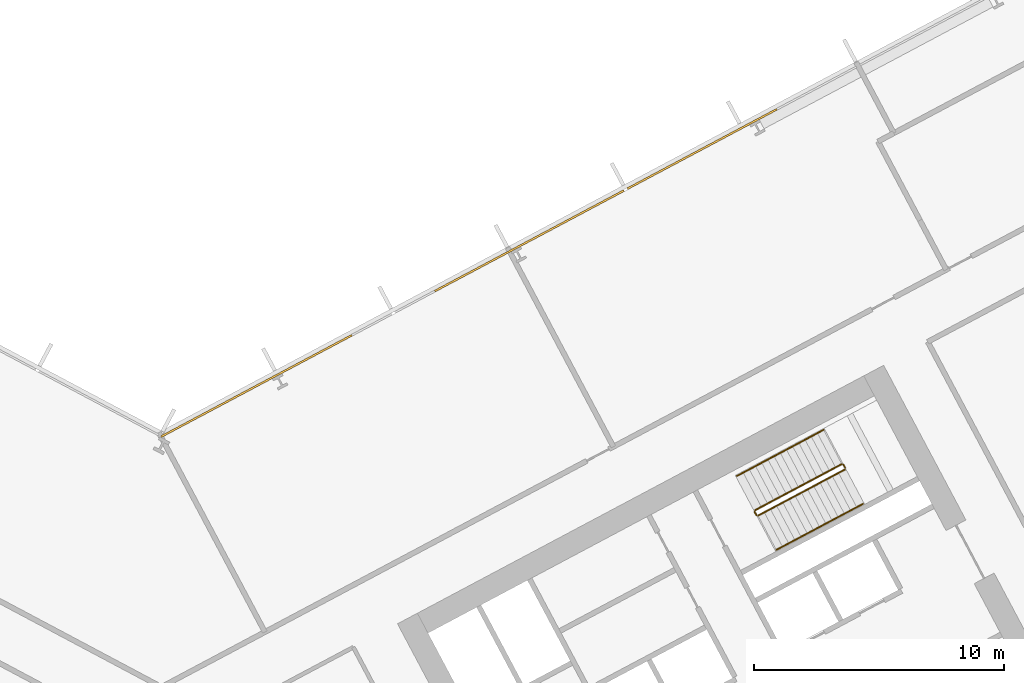
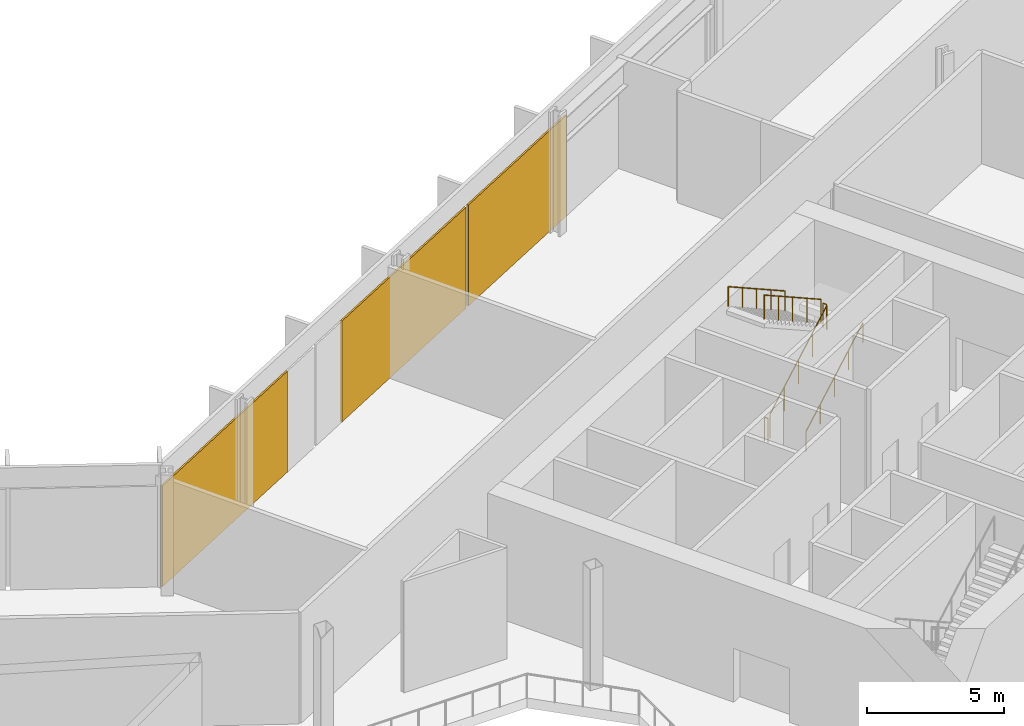
# One storey, part 29 of 32: 6 railings, 3 coverings, 1 element without a shape of its own.
"""IFC4 building model written with IfcOpenShell, lengths in metres."""

from ifc_helpers import new_model, si_unit, direction, frame, origin, origin_2d, place, context, subcontext, project, spatial, polyline, rectangle, outline, extrude, material, layer, layer_set, type_object, element, aggregate, save


model = new_model("IFC4")

# Units and contexts
model_context = context("Model", 3, precision=1e-05, world=origin(), true_north=direction((0.0, 1.0)))
body_context = subcontext(model_context, "Body", "Model", "MODEL_VIEW")
ifc_project = project(units=[si_unit("LENGTHUNIT", "METRE"), si_unit("AREAUNIT", "SQUARE_METRE"), si_unit("VOLUMEUNIT", "CUBIC_METRE"), si_unit("PLANEANGLEUNIT", "RADIAN"), si_unit("MASSUNIT", "GRAM", prefix="KILO")], contexts=[model_context])

# Site, building, storey
site_placement = place(None, origin())
site = spatial("IfcSite", under=ifc_project, at=site_placement, CompositionType="ELEMENT")
building_placement = place(site_placement, origin())
building = spatial("IfcBuilding", under=site, at=building_placement, Name="Cormorant Relay Tower", CompositionType="ELEMENT")
storey_placement = place(building_placement, frame((0.0, 0.0, 39.199951171875)))
storey = spatial("IfcBuildingStorey", under=building, at=storey_placement, Name="L07", CompositionType="ELEMENT", Elevation=39.199951171875)

# Curtain wall, coverings
ifc_material_1 = material(Name="Aluminium 6063-T6 anodised bronze", Category="aluminium")
ifc_layer_1 = layer(ifc_material_1, 0.235107421875)
ifc_layer_set_1 = layer_set([ifc_layer_1], Name="CW6 data hall curtain wall with mineral wool panels")
curtain_wall_type = type_object("IfcCurtainWallType", Name="CW6 data hall curtain wall with mineral wool panels", PredefinedType="NOTDEFINED", material=ifc_layer_set_1)
curtain_wall_placement = place(storey_placement, origin())
curtain_wall = element("IfcCurtainWall", 1, at=curtain_wall_placement, inside=storey, type_object=curtain_wall_type, Name="CW6 curtain wall 6", PredefinedType="NOTDEFINED")
ifc_material_2 = material(Name="Mineral wool cored anodised bronze aluminium cassette panel", Category="aluminium")
ifc_layer_2 = layer(ifc_material_2, 0.074951171875)
ifc_layer_set_2 = layer_set([ifc_layer_2], Name="CW6 mineral wool cassette panel 75")
covering_type = type_object("IfcCoveringType", Name="CW6 mineral wool cassette panel 75", PredefinedType="CLADDING", material=ifc_layer_set_2)
covering_1_placement = place(storey_placement, frame((21.604248046875, 35.313720703125, 0.0), z_axis=(0.0, 0.0, 1.0), x_axis=(-0.882947592859, -0.469471562786, 0.0)))
covering_1 = element("IfcCovering", 2, at=covering_1_placement, type_object=covering_type, Name="CW6 panel S05", PredefinedType="CLADDING", context=body_context, shape_type="SweptSolid", body=[
    extrude(rectangle(XDim=6.765380859375, YDim=0.074951171875, at=origin_2d()), origin(), (0.0, 0.0, 1.0), 4.5),
])
covering_2_placement = place(storey_placement, frame((14.70361328125, 31.64453125, 0.0), z_axis=(0.0, 0.0, 1.0), x_axis=(-0.882947592859, -0.469471562786, 0.0)))
covering_2 = element("IfcCovering", 3, at=covering_2_placement, type_object=covering_type, Name="CW6 panel S06", PredefinedType="CLADDING", context=body_context, shape_type="SweptSolid", body=[
    extrude(rectangle(XDim=8.565185546875, YDim=0.074951171875, at=origin_2d()), origin(), (0.0, 0.0, 1.0), 4.5),
])
covering_3_placement = place(storey_placement, frame((3.796875, 25.84521484375, 0.0), z_axis=(0.0, 0.0, 1.0), x_axis=(-0.882947592859, -0.469471562786, 0.0)))
covering_3 = element("IfcCovering", 4, at=covering_3_placement, type_object=covering_type, Name="CW6 panel S09", PredefinedType="CLADDING", context=body_context, shape_type="SweptSolid", body=[
    extrude(rectangle(XDim=8.640380859375, YDim=0.074951171875, at=origin_2d()), origin(), (0.0, 0.0, 1.0), 4.5),
])
aggregate(curtain_wall, [covering_1, covering_2, covering_3])

# Railings
ifc_material_3 = material(Name="Steel ASTM A572 Grade 50 (Fy 345 MPa)", Category="steel")
railing_type_1 = type_object("IfcRailingType", Name="Stair guard 1100", PredefinedType="GUARDRAIL", material=ifc_material_3)
railing_1_placement = place(storey_placement, frame((23.8408203125, 20.6611328125, 0.179931640625)))
element("IfcRailing", 5, at=railing_1_placement, inside=storey, type_object=railing_type_1, Name="L07 B2 stair guard 1", PredefinedType="GUARDRAIL", context=body_context, shape_type="SweptSolid", body=[
    extrude(outline(polyline([(0.022216796875, 0.00927734375), (0.00927734375, 0.022216796875), (-0.00927734375, 0.022216796875), (-0.022216796875, 0.00927734375), (-0.022216796875, -0.00927734375), (-0.00927734375, -0.022216796875), (0.00927734375, -0.022216796875), (0.022216796875, -0.00927734375), (0.022216796875, 0.00927734375)])), frame((0.0, 0.0, 1.076171875), z_axis=(0.74271721126, 0.394907409077, 0.540758062681), x_axis=(-0.469469396681, 0.882948744594, 0.0)), (0.0, 0.0, 1.0), 4.66015625),
    extrude(outline(polyline([(0.019287109375, 0.008056640625), (0.008056640625, 0.019287109375), (-0.008056640625, 0.019287109375), (-0.019287109375, 0.008056640625), (-0.019287109375, -0.008056640625), (-0.008056640625, -0.019287109375), (0.008056640625, -0.019287109375), (0.019287109375, -0.008056640625), (0.019287109375, 0.008056640625)])), origin(), (0.0, 0.0, 1.0), 1.052001953125),
    extrude(outline(polyline([(0.019287109375, 0.008056640625), (0.008056640625, 0.019287109375), (-0.008056640625, 0.019287109375), (-0.019287109375, 0.008056640625), (-0.019287109375, -0.008056640625), (-0.008056640625, -0.019287109375), (0.008056640625, -0.019287109375), (0.019287109375, -0.008056640625), (0.019287109375, 0.008056640625)])), frame((0.865234375, 0.4599609375, 0.6298828125)), (0.0, 0.0, 1.0), 1.052001953125),
    extrude(outline(polyline([(0.019287109375, 0.008056640625), (0.008056640625, 0.019287109375), (-0.008056640625, 0.019287109375), (-0.019287109375, 0.008056640625), (-0.019287109375, -0.008056640625), (-0.008056640625, -0.019287109375), (0.008056640625, -0.019287109375), (0.019287109375, -0.008056640625), (0.019287109375, 0.008056640625)])), frame((1.73046875, 0.920166015625, 1.260009765625)), (0.0, 0.0, 1.0), 1.052001953125),
    extrude(outline(polyline([(0.019287109375, 0.008056640625), (0.008056640625, 0.019287109375), (-0.008056640625, 0.019287109375), (-0.019287109375, 0.008056640625), (-0.019287109375, -0.008056640625), (-0.008056640625, -0.019287109375), (0.008056640625, -0.019287109375), (0.019287109375, -0.008056640625), (0.019287109375, 0.008056640625)])), frame((2.595947265625, 1.38037109375, 1.89013671875)), (0.0, 0.0, 1.0), 1.052001953125),
    extrude(outline(polyline([(0.019287109375, 0.008056640625), (0.008056640625, 0.019287109375), (-0.008056640625, 0.019287109375), (-0.019287109375, 0.008056640625), (-0.019287109375, -0.008056640625), (-0.008056640625, -0.019287109375), (0.008056640625, -0.019287109375), (0.019287109375, -0.008056640625), (0.019287109375, 0.008056640625)])), frame((3.461181640625, 1.84033203125, 2.52001953125)), (0.0, 0.0, 1.0), 1.052001953125),
])
railing_2_placement = place(storey_placement, frame((27.32275390625, 22.569091796875, 2.699951171875)))
element("IfcRailing", 6, at=railing_2_placement, inside=storey, type_object=railing_type_1, Name="L07 B2 stair guard 2", PredefinedType="GUARDRAIL", context=body_context, shape_type="SweptSolid", body=[
    extrude(outline(polyline([(0.022216796875, 0.00927734375), (0.00927734375, 0.022216796875), (-0.00927734375, 0.022216796875), (-0.022216796875, 0.00927734375), (-0.022216796875, -0.00927734375), (-0.00927734375, -0.022216796875), (0.00927734375, -0.022216796875), (0.022216796875, -0.00927734375), (0.022216796875, 0.00927734375)])), frame((0.0, 0.0, 1.076171875), z_axis=(-0.470503732759, 0.882398003998, 0.0), x_axis=(-0.882398003998, -0.470503732759, 0.0)), (0.0, 0.0, 1.0), 0.14990234375),
    extrude(outline(polyline([(0.019287109375, 0.008056640625), (0.008056640625, 0.019287109375), (-0.008056640625, 0.019287109375), (-0.019287109375, 0.008056640625), (-0.019287109375, -0.008056640625), (-0.008056640625, -0.019287109375), (0.008056640625, -0.019287109375), (0.019287109375, -0.008056640625), (0.019287109375, 0.008056640625)])), origin(), (0.0, 0.0, 1.0), 1.052001953125),
    extrude(outline(polyline([(0.019287109375, 0.008056640625), (0.008056640625, 0.019287109375), (-0.008056640625, 0.019287109375), (-0.019287109375, 0.008056640625), (-0.019287109375, -0.008056640625), (-0.008056640625, -0.019287109375), (0.008056640625, -0.019287109375), (0.019287109375, -0.008056640625), (0.019287109375, 0.008056640625)])), frame((-0.070556640625, 0.13232421875, 0.0)), (0.0, 0.0, 1.0), 1.052001953125),
])
railing_3_placement = place(storey_placement, frame((27.1845703125, 22.72216796875, 2.880126953125)))
element("IfcRailing", 7, at=railing_3_placement, inside=storey, type_object=railing_type_1, Name="L07 B2 stair guard 3", PredefinedType="GUARDRAIL", context=body_context, shape_type="SweptSolid", body=[
    extrude(outline(polyline([(0.022216796875, 0.00927734375), (0.00927734375, 0.022216796875), (-0.00927734375, 0.022216796875), (-0.022216796875, 0.00927734375), (-0.022216796875, -0.00927734375), (-0.00927734375, -0.022216796875), (0.00927734375, -0.022216796875), (0.022216796875, -0.00927734375), (0.022216796875, 0.00927734375)])), frame((0.0, 0.0, 1.076171875), z_axis=(-0.74271721126, -0.394907409077, 0.540758062681), x_axis=(0.469469396681, -0.882948744594, 0.0)), (0.0, 0.0, 1.0), 4.66015625),
    extrude(outline(polyline([(0.019287109375, 0.008056640625), (0.008056640625, 0.019287109375), (-0.008056640625, 0.019287109375), (-0.019287109375, 0.008056640625), (-0.019287109375, -0.008056640625), (-0.008056640625, -0.019287109375), (0.008056640625, -0.019287109375), (0.019287109375, -0.008056640625), (0.019287109375, 0.008056640625)])), origin(), (0.0, 0.0, 1.0), 1.052001953125),
    extrude(outline(polyline([(0.019287109375, 0.008056640625), (0.008056640625, 0.019287109375), (-0.008056640625, 0.019287109375), (-0.019287109375, 0.008056640625), (-0.019287109375, -0.008056640625), (-0.008056640625, -0.019287109375), (0.008056640625, -0.019287109375), (0.019287109375, -0.008056640625), (0.019287109375, 0.008056640625)])), frame((-0.865234375, -0.4599609375, 0.6298828125)), (0.0, 0.0, 1.0), 1.052001953125),
    extrude(outline(polyline([(0.019287109375, 0.008056640625), (0.008056640625, 0.019287109375), (-0.008056640625, 0.019287109375), (-0.019287109375, 0.008056640625), (-0.019287109375, -0.008056640625), (-0.008056640625, -0.019287109375), (0.008056640625, -0.019287109375), (0.019287109375, -0.008056640625), (0.019287109375, 0.008056640625)])), frame((-1.73046875, -0.920166015625, 1.260009765625)), (0.0, 0.0, 1.0), 1.052001953125),
    extrude(outline(polyline([(0.019287109375, 0.008056640625), (0.008056640625, 0.019287109375), (-0.008056640625, 0.019287109375), (-0.019287109375, 0.008056640625), (-0.019287109375, -0.008056640625), (-0.008056640625, -0.019287109375), (0.008056640625, -0.019287109375), (0.019287109375, -0.008056640625), (0.019287109375, 0.008056640625)])), frame((-2.595947265625, -1.38037109375, 1.89013671875)), (0.0, 0.0, 1.0), 1.052001953125),
    extrude(outline(polyline([(0.019287109375, 0.008056640625), (0.008056640625, 0.019287109375), (-0.008056640625, 0.019287109375), (-0.019287109375, 0.008056640625), (-0.019287109375, -0.008056640625), (-0.008056640625, -0.019287109375), (0.008056640625, -0.019287109375), (0.019287109375, -0.008056640625), (0.019287109375, 0.008056640625)])), frame((-3.461181640625, -1.84033203125, 2.52001953125)), (0.0, 0.0, 1.0), 1.052001953125),
])
railing_4_placement = place(storey_placement, frame((23.773193359375, 20.681640625, 0.0)))
element("IfcRailing", 8, at=railing_4_placement, inside=storey, type_object=railing_type_1, Name="L07 B2 stair guard 4", PredefinedType="GUARDRAIL", context=body_context, shape_type="SweptSolid", body=[
    extrude(outline(polyline([(0.022216796875, 0.00927734375), (0.00927734375, 0.022216796875), (-0.00927734375, 0.022216796875), (-0.022216796875, 0.00927734375), (-0.022216796875, -0.00927734375), (-0.00927734375, -0.022216796875), (0.00927734375, -0.022216796875), (0.022216796875, -0.00927734375), (0.022216796875, 0.00927734375)])), frame((0.0, 0.0, 1.076171875), z_axis=(-0.46856034887, 0.8834314911, 0.0), x_axis=(-0.8834314911, -0.46856034887, 0.0)), (0.0, 0.0, 1.0), 0.150146484375),
    extrude(outline(polyline([(0.019287109375, 0.008056640625), (0.008056640625, 0.019287109375), (-0.008056640625, 0.019287109375), (-0.019287109375, 0.008056640625), (-0.019287109375, -0.008056640625), (-0.008056640625, -0.019287109375), (0.008056640625, -0.019287109375), (0.019287109375, -0.008056640625), (0.019287109375, 0.008056640625)])), origin(), (0.0, 0.0, 1.0), 1.052001953125),
    extrude(outline(polyline([(0.019287109375, 0.008056640625), (0.008056640625, 0.019287109375), (-0.008056640625, 0.019287109375), (-0.019287109375, 0.008056640625), (-0.019287109375, -0.008056640625), (-0.008056640625, -0.019287109375), (0.008056640625, -0.019287109375), (0.019287109375, -0.008056640625), (0.019287109375, 0.008056640625)])), frame((-0.0703125, 0.132568359375, 0.0)), (0.0, 0.0, 1.0), 1.052001953125),
])
ifc_material_4 = material(Name="Steel ASTM A572 Grade 50 (Fy 345 MPa)", Category="steel")
railing_type_2 = type_object("IfcRailingType", Name="Stair handrail 900", PredefinedType="HANDRAIL", material=ifc_material_4)
railing_5_placement = place(storey_placement, frame((24.568603515625, 19.29248046875, 0.179931640625)))
element("IfcRailing", 9, at=railing_5_placement, inside=storey, type_object=railing_type_2, Name="L07 B2 stair handrail 1", PredefinedType="HANDRAIL", context=body_context, shape_type="SweptSolid", body=[
    extrude(outline(polyline([(0.022216796875, 0.00927734375), (0.00927734375, 0.022216796875), (-0.00927734375, 0.022216796875), (-0.022216796875, 0.00927734375), (-0.022216796875, -0.00927734375), (-0.00927734375, -0.022216796875), (0.00927734375, -0.022216796875), (0.022216796875, -0.00927734375), (0.022216796875, 0.00927734375)])), frame((0.0, 0.0, 0.8759765625), z_axis=(0.74271721126, 0.394907409077, 0.540758062681), x_axis=(-0.469469396681, 0.882948744594, 0.0)), (0.0, 0.0, 1.0), 4.66015625),
    extrude(outline(polyline([(0.019287109375, 0.008056640625), (0.008056640625, 0.019287109375), (-0.008056640625, 0.019287109375), (-0.019287109375, 0.008056640625), (-0.019287109375, -0.008056640625), (-0.008056640625, -0.019287109375), (0.008056640625, -0.019287109375), (0.019287109375, -0.008056640625), (0.019287109375, 0.008056640625)])), origin(), (0.0, 0.0, 1.0), 0.851806640625),
    extrude(outline(polyline([(0.019287109375, 0.008056640625), (0.008056640625, 0.019287109375), (-0.008056640625, 0.019287109375), (-0.019287109375, 0.008056640625), (-0.019287109375, -0.008056640625), (-0.008056640625, -0.019287109375), (0.008056640625, -0.019287109375), (0.019287109375, -0.008056640625), (0.019287109375, 0.008056640625)])), frame((0.865234375, 0.4599609375, 0.6298828125)), (0.0, 0.0, 1.0), 0.851806640625),
    extrude(outline(polyline([(0.019287109375, 0.008056640625), (0.008056640625, 0.019287109375), (-0.008056640625, 0.019287109375), (-0.019287109375, 0.008056640625), (-0.019287109375, -0.008056640625), (-0.008056640625, -0.019287109375), (0.008056640625, -0.019287109375), (0.019287109375, -0.008056640625), (0.019287109375, 0.008056640625)])), frame((1.73046875, 0.920166015625, 1.260009765625)), (0.0, 0.0, 1.0), 0.851806640625),
    extrude(outline(polyline([(0.019287109375, 0.008056640625), (0.008056640625, 0.019287109375), (-0.008056640625, 0.019287109375), (-0.019287109375, 0.008056640625), (-0.019287109375, -0.008056640625), (-0.008056640625, -0.019287109375), (0.008056640625, -0.019287109375), (0.019287109375, -0.008056640625), (0.019287109375, 0.008056640625)])), frame((2.595947265625, 1.38037109375, 1.89013671875)), (0.0, 0.0, 1.0), 0.851806640625),
    extrude(outline(polyline([(0.019287109375, 0.008056640625), (0.008056640625, 0.019287109375), (-0.008056640625, 0.019287109375), (-0.019287109375, 0.008056640625), (-0.019287109375, -0.008056640625), (-0.008056640625, -0.019287109375), (0.008056640625, -0.019287109375), (0.019287109375, -0.008056640625), (0.019287109375, 0.008056640625)])), frame((3.461181640625, 1.84033203125, 2.52001953125)), (0.0, 0.0, 1.0), 0.851806640625),
])
railing_6_placement = place(storey_placement, frame((26.45703125, 24.090576171875, 2.880126953125)))
element("IfcRailing", 10, at=railing_6_placement, inside=storey, type_object=railing_type_2, Name="L07 B2 stair handrail 2", PredefinedType="HANDRAIL", context=body_context, shape_type="SweptSolid", body=[
    extrude(outline(polyline([(0.022216796875, 0.00927734375), (0.00927734375, 0.022216796875), (-0.00927734375, 0.022216796875), (-0.022216796875, 0.00927734375), (-0.022216796875, -0.00927734375), (-0.00927734375, -0.022216796875), (0.00927734375, -0.022216796875), (0.022216796875, -0.00927734375), (0.022216796875, 0.00927734375)])), frame((0.0, 0.0, 0.8759765625), z_axis=(-0.74271721126, -0.394907409077, 0.540758062681), x_axis=(0.469469396681, -0.882948744594, 0.0)), (0.0, 0.0, 1.0), 4.66015625),
    extrude(outline(polyline([(0.019287109375, 0.008056640625), (0.008056640625, 0.019287109375), (-0.008056640625, 0.019287109375), (-0.019287109375, 0.008056640625), (-0.019287109375, -0.008056640625), (-0.008056640625, -0.019287109375), (0.008056640625, -0.019287109375), (0.019287109375, -0.008056640625), (0.019287109375, 0.008056640625)])), origin(), (0.0, 0.0, 1.0), 0.851806640625),
    extrude(outline(polyline([(0.019287109375, 0.008056640625), (0.008056640625, 0.019287109375), (-0.008056640625, 0.019287109375), (-0.019287109375, 0.008056640625), (-0.019287109375, -0.008056640625), (-0.008056640625, -0.019287109375), (0.008056640625, -0.019287109375), (0.019287109375, -0.008056640625), (0.019287109375, 0.008056640625)])), frame((-0.865234375, -0.4599609375, 0.6298828125)), (0.0, 0.0, 1.0), 0.851806640625),
    extrude(outline(polyline([(0.019287109375, 0.008056640625), (0.008056640625, 0.019287109375), (-0.008056640625, 0.019287109375), (-0.019287109375, 0.008056640625), (-0.019287109375, -0.008056640625), (-0.008056640625, -0.019287109375), (0.008056640625, -0.019287109375), (0.019287109375, -0.008056640625), (0.019287109375, 0.008056640625)])), frame((-1.73046875, -0.920166015625, 1.260009765625)), (0.0, 0.0, 1.0), 0.851806640625),
    extrude(outline(polyline([(0.019287109375, 0.008056640625), (0.008056640625, 0.019287109375), (-0.008056640625, 0.019287109375), (-0.019287109375, 0.008056640625), (-0.019287109375, -0.008056640625), (-0.008056640625, -0.019287109375), (0.008056640625, -0.019287109375), (0.019287109375, -0.008056640625), (0.019287109375, 0.008056640625)])), frame((-2.595947265625, -1.38037109375, 1.89013671875)), (0.0, 0.0, 1.0), 0.851806640625),
    extrude(outline(polyline([(0.019287109375, 0.008056640625), (0.008056640625, 0.019287109375), (-0.008056640625, 0.019287109375), (-0.019287109375, 0.008056640625), (-0.019287109375, -0.008056640625), (-0.008056640625, -0.019287109375), (0.008056640625, -0.019287109375), (0.019287109375, -0.008056640625), (0.019287109375, 0.008056640625)])), frame((-3.461181640625, -1.84033203125, 2.52001953125)), (0.0, 0.0, 1.0), 0.851806640625),
])

save(model, "model.ifc")
